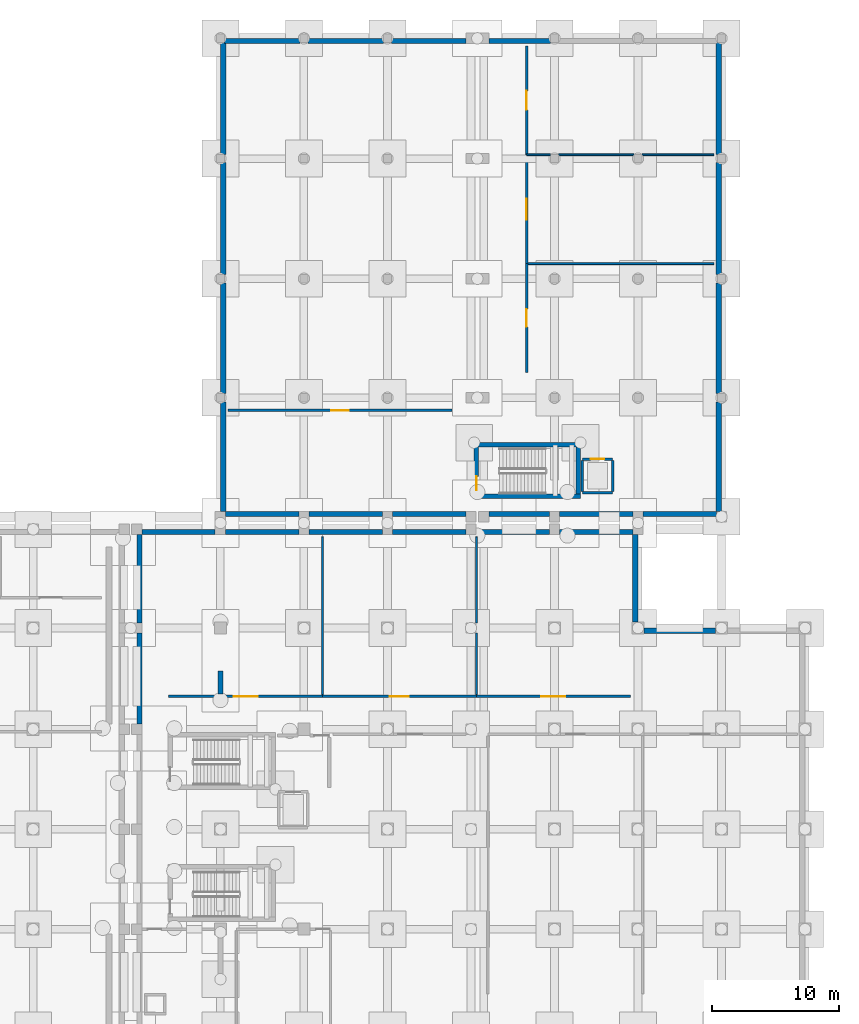
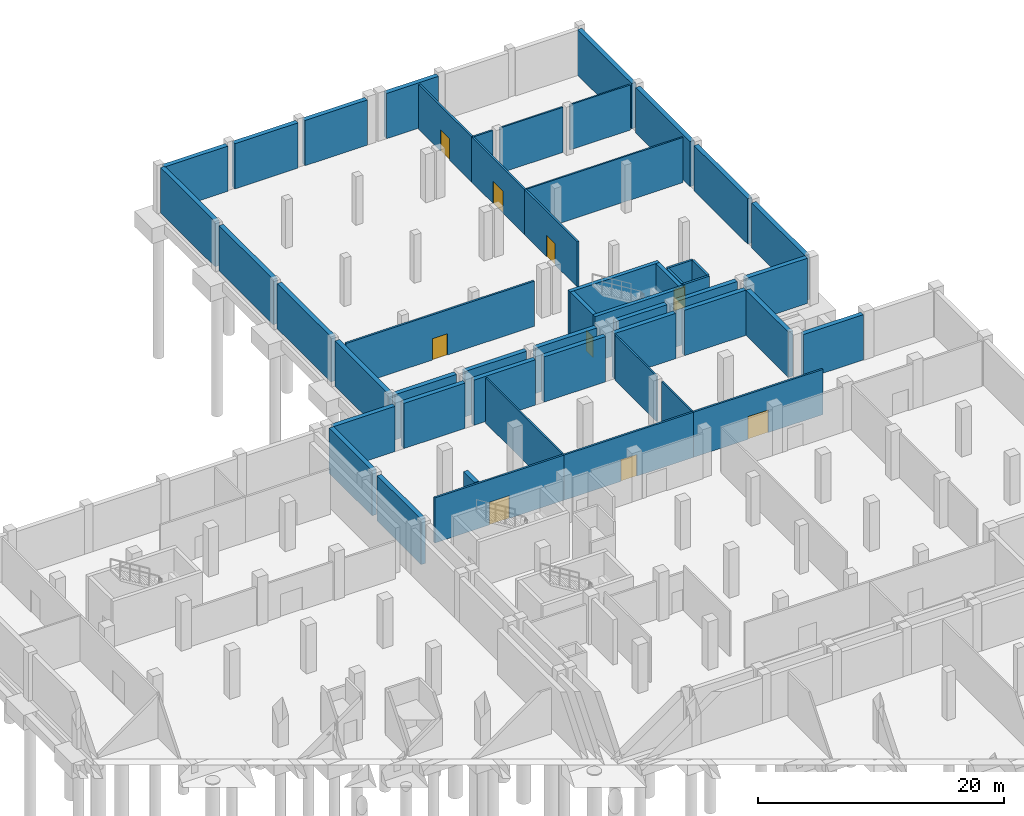
# One storey, part 20 of 29: 51 walls, 9 doors, 9 openings.
"""IFC4 building model written with IfcOpenShell, lengths in metres."""

from ifc_helpers import new_model, si_unit, direction, frame, frame_2d, origin, place, context, subcontext, project, spatial, rectangle, extrude, material, layer, layer_set, type_object, element, fill, save


model = new_model("IFC4")

# Units and contexts
model_context = context("Model", 3, precision=1e-05, world=origin(), true_north=direction((0.0, 1.0)))
body_context = subcontext(model_context, "Body", "Model", "MODEL_VIEW")
ifc_project = project(units=[si_unit("LENGTHUNIT", "METRE"), si_unit("AREAUNIT", "SQUARE_METRE"), si_unit("VOLUMEUNIT", "CUBIC_METRE"), si_unit("PLANEANGLEUNIT", "RADIAN"), si_unit("MASSUNIT", "GRAM", prefix="KILO")], contexts=[model_context])

# Site, building, storey
site_placement = place(None, origin())
site = spatial("IfcSite", under=ifc_project, at=site_placement, CompositionType="ELEMENT")
building_placement = place(site_placement, origin())
building = spatial("IfcBuilding", under=site, at=building_placement, Name="Kelarvand Opera House", CompositionType="ELEMENT")
storey_placement = place(building_placement, frame((0.0, 0.0, -9.60009765625)))
storey = spatial("IfcBuildingStorey", under=building, at=storey_placement, Name="B2", CompositionType="ELEMENT", Elevation=-9.60009765625)

# Walls
ifc_material_1 = material(Name="Acoustic double-stud gypsum partition")
ifc_layer_1 = layer(ifc_material_1, 0.14990234375, Name="Acoustic double-stud gypsum partition")
ifc_layer_set_1 = layer_set([ifc_layer_1], Name="Acoustic double-stud gypsum partition")
wall_type_1 = type_object("IfcWallType", Name="Acoustic Room Partition Wall 150", PredefinedType="PARTITIONING", material=ifc_layer_set_1)
wall_1_placement = place(storey_placement, frame((103.6669921875, 73.139892578125, 0.0), z_axis=(0.0, 0.0, 1.0), x_axis=(0.0, 1.0, 0.0)))
element("IfcWall", 1, at=wall_1_placement, inside=storey, type_object=wall_type_1, Name="V1 B2 Partition Wall IW-150 (48)", PredefinedType="PARTITIONING", context=body_context, shape_type="SweptSolid", body=[
    extrude(rectangle(XDim=12.460205078125, YDim=0.14990234375, at=frame_2d((6.22998046875, 0.0))), origin(), (0.0, 0.0, 1.0), 4.4921875),
])
wall_2_placement = place(storey_placement, frame((115.8330078125, 73.139892578125, 0.0), z_axis=(0.0, 0.0, 1.0), x_axis=(0.0, 1.0, 0.0)))
element("IfcWall", 2, at=wall_2_placement, inside=storey, type_object=wall_type_1, Name="V1 B2 Partition Wall IW-150 (50)", PredefinedType="PARTITIONING", context=body_context, shape_type="SweptSolid", body=[
    extrude(rectangle(XDim=4.85009765625, YDim=0.14990234375, at=frame_2d((2.425048828125, 0.0))), origin(), (0.0, 0.0, 1.0), 4.4921875),
])
wall_3_placement = place(storey_placement, frame((115.8330078125, 78.81005859375, 0.0), z_axis=(0.0, 0.0, 1.0), x_axis=(0.0, 1.0, 0.0)))
element("IfcWall", 3, at=wall_3_placement, inside=storey, type_object=wall_type_1, Name="V1 B2 Partition Wall IW-150 (51)", PredefinedType="PARTITIONING", context=body_context, shape_type="SweptSolid", body=[
    extrude(rectangle(XDim=6.7900390625, YDim=0.14990234375, at=frame_2d((3.39501953125, 0.0))), origin(), (0.0, 0.0, 1.0), 4.4921875),
])
wall_4_placement = place(storey_placement, frame((119.800048828125, 107.199951171875, 0.0), z_axis=(0.0, 0.0, 1.0), x_axis=(1.0, 0.0, 0.0)))
element("IfcWall", 4, at=wall_4_placement, inside=storey, type_object=wall_type_1, Name="V5 B2 Partition Wall IW-150 (92)", PredefinedType="PARTITIONING", context=body_context, shape_type="SweptSolid", body=[
    extrude(rectangle(XDim=14.800048828125, YDim=0.14990234375, at=frame_2d((7.39990234375, 0.0))), origin(), (0.0, 0.0, 1.0), 4.4921875),
])
wall_5_placement = place(storey_placement, frame((119.800048828125, 115.800048828125, 0.0), z_axis=(0.0, 0.0, 1.0), x_axis=(1.0, 0.0, 0.0)))
element("IfcWall", 5, at=wall_5_placement, inside=storey, type_object=wall_type_1, Name="V5 B2 Partition Wall IW-150 (94)", PredefinedType="PARTITIONING", context=body_context, shape_type="SweptSolid", body=[
    extrude(rectangle(XDim=1.875, YDim=0.14990234375, at=frame_2d((0.9375, 0.0))), origin(), (0.0, 0.0, 1.0), 4.4921875),
])
wall_6_placement = place(storey_placement, frame((122.324951171875, 115.800048828125, 0.0), z_axis=(0.0, 0.0, 1.0), x_axis=(1.0, 0.0, 0.0)))
element("IfcWall", 6, at=wall_6_placement, inside=storey, type_object=wall_type_1, Name="V5 B2 Partition Wall IW-150 (95)", PredefinedType="PARTITIONING", context=body_context, shape_type="SweptSolid", body=[
    extrude(rectangle(XDim=5.949951171875, YDim=0.14990234375, at=frame_2d((2.97509765625, 0.0))), origin(), (0.0, 0.0, 1.0), 4.4921875),
])
wall_7_placement = place(storey_placement, frame((128.925048828125, 115.800048828125, 0.0), z_axis=(0.0, 0.0, 1.0), x_axis=(1.0, 0.0, 0.0)))
element("IfcWall", 7, at=wall_7_placement, inside=storey, type_object=wall_type_1, Name="V5 B2 Partition Wall IW-150 (96)", PredefinedType="PARTITIONING", context=body_context, shape_type="SweptSolid", body=[
    extrude(rectangle(XDim=5.675048828125, YDim=0.14990234375, at=frame_2d((2.83740234375, 0.0))), origin(), (0.0, 0.0, 1.0), 4.4921875),
])
ifc_material_2 = material(Name="Concrete C35/45", Category="concrete")
ifc_layer_2 = layer(ifc_material_2, 0.419921875, Name="Concrete C35/45", Category="concrete")
ifc_layer_set_2 = layer_set([ifc_layer_2], Name="Concrete C35/45")
wall_type_2 = type_object("IfcWallType", Name="Basement Perimeter Retaining Wall 420", PredefinedType="SHEAR", material=ifc_layer_set_2)
wall_8_placement = place(storey_placement, frame((89.2099609375, 70.81005859375, 0.0), z_axis=(0.0, 0.0, 1.0), x_axis=(0.0, 1.0, 0.0)))
element("IfcWall", 8, at=wall_8_placement, inside=storey, type_object=wall_type_2, Name="V1 B2 Retaining Wall 11", PredefinedType="SHEAR", context=body_context, shape_type="SweptSolid", body=[
    extrude(rectangle(XDim=7.179931640625, YDim=0.419921875, at=frame_2d((3.58984375, 0.0))), origin(), (0.0, 0.0, 1.0), 4.5),
])
wall_9_placement = place(storey_placement, frame((89.2099609375, 78.81005859375, 0.0), z_axis=(0.0, 0.0, 1.0), x_axis=(0.0, 1.0, 0.0)))
element("IfcWall", 9, at=wall_9_placement, inside=storey, type_object=wall_type_2, Name="V1 B2 Retaining Wall 12", PredefinedType="SHEAR", context=body_context, shape_type="SweptSolid", body=[
    extrude(rectangle(XDim=6.97998046875, YDim=0.419921875, at=frame_2d((3.489990234375, 0.0))), origin(), (0.0, 0.0, 1.0), 4.5),
])
for number, where, z_axis, x_axis, name in (
    (10, (89.409912109375, 85.989990234375, 0.0), (0.0, 0.0, 1.0), (1.0, 0.0, 0.0), "V1 B2 Retaining Wall 13"),
    (11, (96.010009765625, 85.989990234375, 0.0), (0.0, 0.0, 1.0), (1.0, 0.0, 0.0), "V1 B2 Retaining Wall 14"),
):
    element("IfcWall", number, at=place(storey_placement, frame(where, z_axis=z_axis, x_axis=x_axis)), inside=storey, type_object=wall_type_2, Name=name, PredefinedType="SHEAR", context=body_context, shape_type="SweptSolid", body=[
        extrude(rectangle(XDim=5.780029296875, YDim=0.419921875, at=frame_2d((2.89013671875, 0.0))), origin(), (0.0, 0.0, 1.0), 4.5),
    ])
wall_10_placement = place(storey_placement, frame((102.610107421875, 85.989990234375, 0.0), z_axis=(0.0, 0.0, 1.0), x_axis=(1.0, 0.0, 0.0)))
element("IfcWall", 12, at=wall_10_placement, inside=storey, type_object=wall_type_2, Name="V1 B2 Retaining Wall 15", PredefinedType="SHEAR", context=body_context, shape_type="SweptSolid", body=[
    extrude(rectangle(XDim=5.77978515625, YDim=0.419921875, at=frame_2d((2.889892578125, 0.0))), origin(), (0.0, 0.0, 1.0), 4.5),
])
for number, where, z_axis, x_axis, name in (
    (13, (109.2099609375, 85.989990234375, 0.0), (0.0, 0.0, 1.0), (1.0, 0.0, 0.0), "V1 B2 Retaining Wall 16"),
    (14, (115.81005859375, 85.989990234375, 0.0), (0.0, 0.0, 1.0), (1.0, 0.0, 0.0), "V1 B2 Retaining Wall 17"),
    (15, (122.409912109375, 85.989990234375, 0.0), (0.0, 0.0, 1.0), (1.0, 0.0, 0.0), "V1 B2 Retaining Wall 18"),
):
    element("IfcWall", number, at=place(storey_placement, frame(where, z_axis=z_axis, x_axis=x_axis)), inside=storey, type_object=wall_type_2, Name=name, PredefinedType="SHEAR", context=body_context, shape_type="SweptSolid", body=[
        extrude(rectangle(XDim=5.780029296875, YDim=0.419921875, at=frame_2d((2.89013671875, 0.0))), origin(), (0.0, 0.0, 1.0), 4.5),
    ])
wall_11_placement = place(storey_placement, frame((128.389892578125, 85.7900390625, 0.0), z_axis=(0.0, 0.0, 1.0), x_axis=(0.0, -1.0, 0.0)))
element("IfcWall", 16, at=wall_11_placement, inside=storey, type_object=wall_type_2, Name="V1 B2 Retaining Wall 19", PredefinedType="SHEAR", context=body_context, shape_type="SweptSolid", body=[
    extrude(rectangle(XDim=6.9150390625, YDim=0.419921875, at=frame_2d((3.45751953125, 0.0))), origin(), (0.0, 0.0, 1.0), 4.5),
])
wall_12_placement = place(storey_placement, frame((129.074951171875, 78.18994140625, 0.0), z_axis=(0.0, 0.0, 1.0), x_axis=(1.0, 0.0, 0.0)))
element("IfcWall", 17, at=wall_12_placement, inside=storey, type_object=wall_type_2, Name="V1 B2 Retaining Wall 20", PredefinedType="SHEAR", context=body_context, shape_type="SweptSolid", body=[
    extrude(rectangle(XDim=5.650146484375, YDim=0.419921875, at=frame_2d((2.8251953125, 0.0))), origin(), (0.0, 0.0, 1.0), 4.5),
])
for number, where, z_axis, x_axis, name in (
    (18, (134.989990234375, 124.675048828125, 0.0), (0.0, 0.0, 1.0), (0.0, -1.0, 0.0), "V5 B2 Retaining Wall 555"),
    (19, (134.989990234375, 115.175048828125, 0.0), (0.0, 0.0, 1.0), (0.0, -1.0, 0.0), "V5 B2 Retaining Wall 556"),
):
    element("IfcWall", number, at=place(storey_placement, frame(where, z_axis=z_axis, x_axis=x_axis)), inside=storey, type_object=wall_type_2, Name=name, PredefinedType="SHEAR", context=body_context, shape_type="SweptSolid", body=[
        extrude(rectangle(XDim=8.85009765625, YDim=0.419921875, at=frame_2d((4.425048828125, 0.0))), origin(), (0.0, 0.0, 1.0), 4.5),
    ])
wall_13_placement = place(storey_placement, frame((134.989990234375, 105.675048828125, 0.0), z_axis=(0.0, 0.0, 1.0), x_axis=(0.0, -1.0, 0.0)))
element("IfcWall", 20, at=wall_13_placement, inside=storey, type_object=wall_type_2, Name="V5 B2 Retaining Wall 557", PredefinedType="SHEAR", context=body_context, shape_type="SweptSolid", body=[
    extrude(rectangle(XDim=8.75, YDim=0.419921875, at=frame_2d((4.375, 0.0))), origin(), (0.0, 0.0, 1.0), 4.5),
])
wall_14_placement = place(storey_placement, frame((134.989990234375, 96.27490234375, 0.0), z_axis=(0.0, 0.0, 1.0), x_axis=(0.0, -1.0, 0.0)))
element("IfcWall", 21, at=wall_14_placement, inside=storey, type_object=wall_type_2, Name="V5 B2 Retaining Wall 558", PredefinedType="SHEAR", context=body_context, shape_type="SweptSolid", body=[
    extrude(rectangle(XDim=8.664794921875, YDim=0.419921875, at=frame_2d((4.33251953125, 0.0))), origin(), (0.0, 0.0, 1.0), 4.5),
])
wall_15_placement = place(storey_placement, frame((95.925048828125, 124.7900390625, 0.0), z_axis=(0.0, 0.0, 1.0), x_axis=(1.0, 0.0, 0.0)))
element("IfcWall", 22, at=wall_15_placement, inside=storey, type_object=wall_type_2, Name="V5 B2 Retaining Wall 559", PredefinedType="SHEAR", context=body_context, shape_type="SweptSolid", body=[
    extrude(rectangle(XDim=5.949951171875, YDim=0.419921875, at=frame_2d((2.97509765625, 0.0))), origin(), (0.0, 0.0, 1.0), 4.5),
])
wall_16_placement = place(storey_placement, frame((102.52490234375, 124.7900390625, 0.0), z_axis=(0.0, 0.0, 1.0), x_axis=(1.0, 0.0, 0.0)))
element("IfcWall", 23, at=wall_16_placement, inside=storey, type_object=wall_type_2, Name="V5 B2 Retaining Wall 560", PredefinedType="SHEAR", context=body_context, shape_type="SweptSolid", body=[
    extrude(rectangle(XDim=5.9501953125, YDim=0.419921875, at=frame_2d((2.97509765625, 0.0))), origin(), (0.0, 0.0, 1.0), 4.5),
])
wall_17_placement = place(storey_placement, frame((109.125, 124.7900390625, 0.0), z_axis=(0.0, 0.0, 1.0), x_axis=(1.0, 0.0, 0.0)))
element("IfcWall", 24, at=wall_17_placement, inside=storey, type_object=wall_type_2, Name="V5 B2 Retaining Wall 561", PredefinedType="SHEAR", context=body_context, shape_type="SweptSolid", body=[
    extrude(rectangle(XDim=5.864990234375, YDim=0.419921875, at=frame_2d((2.9326171875, 0.0))), origin(), (0.0, 0.0, 1.0), 4.5),
])
wall_18_placement = place(storey_placement, frame((116.81005859375, 124.7900390625, 0.0), z_axis=(0.0, 0.0, 1.0), x_axis=(1.0, 0.0, 0.0)))
element("IfcWall", 25, at=wall_18_placement, inside=storey, type_object=wall_type_2, Name="V5 B2 Retaining Wall 562", PredefinedType="SHEAR", context=body_context, shape_type="SweptSolid", body=[
    extrude(rectangle(XDim=4.864990234375, YDim=0.419921875, at=frame_2d((2.4326171875, 0.0))), origin(), (0.0, 0.0, 1.0), 4.5),
])
wall_19_placement = place(storey_placement, frame((95.81005859375, 87.610107421875, 0.0), z_axis=(0.0, 0.0, 1.0), x_axis=(0.0, 1.0, 0.0)))
element("IfcWall", 26, at=wall_19_placement, inside=storey, type_object=wall_type_2, Name="V5 B2 Retaining Wall 565", PredefinedType="SHEAR", context=body_context, shape_type="SweptSolid", body=[
    extrude(rectangle(XDim=8.664794921875, YDim=0.419921875, at=frame_2d((4.33251953125, 0.0))), origin(), (0.0, 0.0, 1.0), 4.5),
])
wall_20_placement = place(storey_placement, frame((95.81005859375, 96.925048828125, 0.0), z_axis=(0.0, 0.0, 1.0), x_axis=(0.0, 1.0, 0.0)))
element("IfcWall", 27, at=wall_20_placement, inside=storey, type_object=wall_type_2, Name="V5 B2 Retaining Wall 566", PredefinedType="SHEAR", context=body_context, shape_type="SweptSolid", body=[
    extrude(rectangle(XDim=8.75, YDim=0.419921875, at=frame_2d((4.375, 0.0))), origin(), (0.0, 0.0, 1.0), 4.5),
])
for number, where, z_axis, x_axis, name in (
    (28, (95.81005859375, 106.324951171875, 0.0), (0.0, 0.0, 1.0), (0.0, 1.0, 0.0), "V5 B2 Retaining Wall 567"),
    (29, (95.81005859375, 115.824951171875, 0.0), (0.0, 0.0, 1.0), (0.0, 1.0, 0.0), "V5 B2 Retaining Wall 568"),
):
    element("IfcWall", number, at=place(storey_placement, frame(where, z_axis=z_axis, x_axis=x_axis)), inside=storey, type_object=wall_type_2, Name=name, PredefinedType="SHEAR", context=body_context, shape_type="SweptSolid", body=[
        extrude(rectangle(XDim=8.85009765625, YDim=0.419921875, at=frame_2d((4.425048828125, 0.0))), origin(), (0.0, 0.0, 1.0), 4.5),
    ])
for number, where, z_axis, x_axis, name in (
    (30, (134.7900390625, 87.409912109375, 0.0), (0.0, 0.0, 1.0), (-1.0, 0.0, 0.0), "V5 B2 Retaining Wall 569"),
    (31, (128.18994140625, 87.409912109375, 0.0), (0.0, 0.0, 1.0), (-1.0, 0.0, 0.0), "V5 B2 Retaining Wall 570"),
):
    element("IfcWall", number, at=place(storey_placement, frame(where, z_axis=z_axis, x_axis=x_axis)), inside=storey, type_object=wall_type_2, Name=name, PredefinedType="SHEAR", context=body_context, shape_type="SweptSolid", body=[
        extrude(rectangle(XDim=5.780029296875, YDim=0.419921875, at=frame_2d((2.89013671875, 0.0))), origin(), (0.0, 0.0, 1.0), 4.5),
    ])
wall_21_placement = place(storey_placement, frame((121.590087890625, 87.409912109375, 0.0), z_axis=(0.0, 0.0, 1.0), x_axis=(-1.0, 0.0, 0.0)))
element("IfcWall", 32, at=wall_21_placement, inside=storey, type_object=wall_type_2, Name="V5 B2 Retaining Wall 571", PredefinedType="SHEAR", context=body_context, shape_type="SweptSolid", body=[
    extrude(rectangle(XDim=4.780029296875, YDim=0.419921875, at=frame_2d((2.39013671875, 0.0))), origin(), (0.0, 0.0, 1.0), 4.5),
])
wall_22_placement = place(storey_placement, frame((114.989990234375, 87.409912109375, 0.0), z_axis=(0.0, 0.0, 1.0), x_axis=(-1.0, 0.0, 0.0)))
element("IfcWall", 33, at=wall_22_placement, inside=storey, type_object=wall_type_2, Name="V5 B2 Retaining Wall 572", PredefinedType="SHEAR", context=body_context, shape_type="SweptSolid", body=[
    extrude(rectangle(XDim=5.780029296875, YDim=0.419921875, at=frame_2d((2.89013671875, 0.0))), origin(), (0.0, 0.0, 1.0), 4.5),
])
wall_23_placement = place(storey_placement, frame((108.389892578125, 87.409912109375, 0.0), z_axis=(0.0, 0.0, 1.0), x_axis=(-1.0, 0.0, 0.0)))
element("IfcWall", 34, at=wall_23_placement, inside=storey, type_object=wall_type_2, Name="V5 B2 Retaining Wall 573", PredefinedType="SHEAR", context=body_context, shape_type="SweptSolid", body=[
    extrude(rectangle(XDim=5.77978515625, YDim=0.419921875, at=frame_2d((2.889892578125, 0.0))), origin(), (0.0, 0.0, 1.0), 4.5),
])
wall_24_placement = place(storey_placement, frame((101.7900390625, 87.409912109375, 0.0), z_axis=(0.0, 0.0, 1.0), x_axis=(-1.0, 0.0, 0.0)))
element("IfcWall", 35, at=wall_24_placement, inside=storey, type_object=wall_type_2, Name="V5 B2 Retaining Wall 574", PredefinedType="SHEAR", context=body_context, shape_type="SweptSolid", body=[
    extrude(rectangle(XDim=5.780029296875, YDim=0.419921875, at=frame_2d((2.89013671875, 0.0))), origin(), (0.0, 0.0, 1.0), 4.5),
])
ifc_material_3 = material(Name="Concrete C40/50", Category="concrete")
ifc_layer_3 = layer(ifc_material_3, 0.35009765625, Name="Concrete C40/50", Category="concrete")
ifc_layer_set_3 = layer_set([ifc_layer_3], Name="Concrete C40/50")
wall_type_3 = type_object("IfcWallType", Name="Core Stair and Lift Shear Wall 350", PredefinedType="SHEAR", material=ifc_layer_set_3)
for number, where, z_axis, x_axis, name in (
    (36, (115.64990234375, 88.824951171875, 0.0), (0.0, 0.0, 1.0), (1.0, 0.0, 0.0), "C7 Stair Core Shear Wall S B2"),
    (37, (124.050048828125, 92.875, 0.0), (0.0, 0.0, 1.0), (-1.0, 0.0, 0.0), "C7 Stair Core Shear Wall N B2"),
):
    element("IfcWall", number, at=place(storey_placement, frame(where, z_axis=z_axis, x_axis=x_axis)), inside=storey, type_object=wall_type_3, Name=name, PredefinedType="SHEAR", context=body_context, shape_type="SweptSolid", body=[
        extrude(rectangle(XDim=8.400146484375, YDim=0.35009765625, at=frame_2d((4.2001953125, 0.0))), origin(), (0.0, 0.0, 1.0), 4.5),
    ])

# Wall, opening, door
wall_25_placement = place(storey_placement, frame((115.824951171875, 89.0, 0.0), z_axis=(0.0, 0.0, 1.0), x_axis=(0.0, 1.0, 0.0)))
wall_25 = element("IfcWall", 38, at=wall_25_placement, inside=storey, type_object=wall_type_3, Name="C7 Stair Core Shear Wall W B2", PredefinedType="SHEAR", context=body_context, shape_type="SweptSolid", body=[
    extrude(rectangle(XDim=3.699951171875, YDim=0.35009765625, at=frame_2d((1.85009765625, 0.0))), origin(), (0.0, 0.0, 1.0), 4.5),
])
opening_1_placement = place(wall_25_placement, frame((0.280029296875, 0.0, 0.0)))
opening_1 = element("IfcOpeningElement", 39, at=opening_1_placement, cuts=wall_25, Name="Opening FD-01", PredefinedType="OPENING", context=body_context, shape_type="SweptSolid", body=[
    extrude(rectangle(XDim=1.10009765625, YDim=2.080078125, at=frame_2d((0.550048828125, 1.0400390625))), frame((0.0, 0.18505859375, 0.0), z_axis=(0.0, -1.0, 0.0), x_axis=(1.0, 0.0, 0.0)), (0.0, 0.0, 1.0), 0.3701171875),
])
ifc_material_4 = material(Name="Fire-rated brushed stainless steel", Category="steel")
door_type_1 = type_object("IfcDoorType", Name="Steel Fire-Rated Stair and FF Lobby Door 1100x2080", OperationType="NOTDEFINED", PredefinedType="DOOR", material=ifc_material_4)
door_1_placement = place(opening_1_placement, origin())
door_1 = element("IfcDoor", 40, at=door_1_placement, inside=storey, type_object=door_type_1, Name="C7 Stair ST-07 Fire Door B2", OperationType="SINGLE_SWING_LEFT", OverallHeight=2.080078125, OverallWidth=1.10009765625, PredefinedType="DOOR", context=body_context, shape_type="SweptSolid", body=[
    extrude(rectangle(XDim=1.10009765625, YDim=2.080078125, at=frame_2d((0.550048828125, 1.0400390625))), frame((0.0, 0.02490234375, 0.0), z_axis=(0.0, -1.0, 0.0), x_axis=(1.0, 0.0, 0.0)), (0.0, 0.0, 1.0), 0.050048828125),
])
fill(opening_1, door_1)

# Wall
wall_26_placement = place(storey_placement, frame((123.875, 92.699951171875, 0.0), z_axis=(0.0, 0.0, 1.0), x_axis=(0.0, -1.0, 0.0)))
element("IfcWall", 41, at=wall_26_placement, inside=storey, type_object=wall_type_3, Name="C7 Stair Core Shear Wall E B2", PredefinedType="SHEAR", context=body_context, shape_type="SweptSolid", body=[
    extrude(rectangle(XDim=3.699951171875, YDim=0.35009765625, at=frame_2d((1.85009765625, 0.0))), origin(), (0.0, 0.0, 1.0), 4.5),
])

# Wall, opening, door
ifc_layer_4 = layer(ifc_material_2, 0.179931640625, Name="Concrete C35/45", Category="concrete")
ifc_layer_set_4 = layer_set([ifc_layer_4], Name="Concrete C35/45")
wall_type_4 = type_object("IfcWallType", Name="Corridor Fire-Rated Partition Wall 180 EI90", PredefinedType="PARTITIONING", material=ifc_layer_set_4)
wall_27_placement = place(storey_placement, frame((91.5, 73.0, 0.0), z_axis=(0.0, 0.0, 1.0), x_axis=(1.0, 0.0, 0.0)))
wall_27 = element("IfcWall", 42, at=wall_27_placement, inside=storey, type_object=wall_type_4, Name="V1 B2 Partition Wall IW-90 (47)", PredefinedType="PARTITIONING", context=body_context, shape_type="SweptSolid", body=[
    extrude(rectangle(XDim=12.1669921875, YDim=0.179931640625, at=frame_2d((6.08349609375, 0.0))), origin(), (0.0, 0.0, 1.0), 4.4921875),
])
opening_2_placement = place(wall_27_placement, frame((5.134033203125, 0.0, 0.0)))
opening_2 = element("IfcOpeningElement", 43, at=opening_2_placement, cuts=wall_27, Name="Opening D-16", PredefinedType="OPENING", context=body_context, shape_type="SweptSolid", body=[
    extrude(rectangle(XDim=1.89990234375, YDim=2.260009765625, at=frame_2d((0.949951171875, 1.1298828125))), frame((0.0, 0.10009765625, 0.0), z_axis=(0.0, -1.0, 0.0), x_axis=(1.0, 0.0, 0.0)), (0.0, 0.0, 1.0), 0.199951171875),
])
ifc_material_5 = material(Name="Acoustic walnut-veneered hardwood", Category="wood")
door_type_2 = type_object("IfcDoorType", Name="Orchestra Warm-Up Double Door 1900x2260", OperationType="NOTDEFINED", PredefinedType="DOOR", material=ifc_material_5)
door_2_placement = place(opening_2_placement, origin())
door_2 = element("IfcDoor", 44, at=door_2_placement, inside=storey, type_object=door_type_2, Name="V1 B2 Door D-16 (15)", OperationType="DOUBLE_DOOR_SINGLE_SWING", OverallHeight=2.260009765625, OverallWidth=1.89990234375, PredefinedType="DOOR", context=body_context, shape_type="SweptSolid", body=[
    extrude(rectangle(XDim=1.89990234375, YDim=2.260009765625, at=frame_2d((0.949951171875, 1.1298828125))), frame((0.0, 0.02490234375, 0.0), z_axis=(0.0, -1.0, 0.0), x_axis=(1.0, 0.0, 0.0)), (0.0, 0.0, 1.0), 0.050048828125),
])
fill(opening_2, door_2)

wall_28_placement = place(storey_placement, frame((103.6669921875, 73.0, 0.0), z_axis=(0.0, 0.0, 1.0), x_axis=(1.0, 0.0, 0.0)))
wall_28 = element("IfcWall", 45, at=wall_28_placement, inside=storey, type_object=wall_type_4, Name="V1 B2 Partition Wall IW-90 (49)", PredefinedType="PARTITIONING", context=body_context, shape_type="SweptSolid", body=[
    extrude(rectangle(XDim=12.166015625, YDim=0.179931640625, at=frame_2d((6.0830078125, 0.0))), origin(), (0.0, 0.0, 1.0), 4.4921875),
])
opening_3_placement = place(wall_28_placement, frame((5.3330078125, 0.0, 0.0)))
opening_3 = element("IfcOpeningElement", 46, at=opening_3_placement, cuts=wall_28, Name="Opening D-07", PredefinedType="OPENING", context=body_context, shape_type="SweptSolid", body=[
    extrude(rectangle(XDim=1.5, YDim=2.14990234375, at=frame_2d((0.75, 1.074951171875))), frame((0.0, 0.10009765625, 0.0), z_axis=(0.0, -1.0, 0.0), x_axis=(1.0, 0.0, 0.0)), (0.0, 0.0, 1.0), 0.199951171875),
])
door_type_3 = type_object("IfcDoorType", Name="Rehearsal Instrument Double Door 1500x2150", OperationType="NOTDEFINED", PredefinedType="DOOR", material=ifc_material_5)
door_3_placement = place(opening_3_placement, origin())
door_3 = element("IfcDoor", 47, at=door_3_placement, inside=storey, type_object=door_type_3, Name="V1 B2 Door D-07 (16)", OperationType="DOUBLE_DOOR_SINGLE_SWING", OverallHeight=2.14990234375, OverallWidth=1.5, PredefinedType="DOOR", context=body_context, shape_type="SweptSolid", body=[
    extrude(rectangle(XDim=1.5, YDim=2.14990234375, at=frame_2d((0.75, 1.074951171875))), frame((0.0, 0.02490234375, 0.0), z_axis=(0.0, -1.0, 0.0), x_axis=(1.0, 0.0, 0.0)), (0.0, 0.0, 1.0), 0.050048828125),
])
fill(opening_3, door_3)

wall_29_placement = place(storey_placement, frame((115.8330078125, 73.0, 0.0), z_axis=(0.0, 0.0, 1.0), x_axis=(1.0, 0.0, 0.0)))
wall_29 = element("IfcWall", 48, at=wall_29_placement, inside=storey, type_object=wall_type_4, Name="V1 B2 Partition Wall IW-90 (52)", PredefinedType="PARTITIONING", context=body_context, shape_type="SweptSolid", body=[
    extrude(rectangle(XDim=12.1669921875, YDim=0.179931640625, at=frame_2d((6.08349609375, 0.0))), origin(), (0.0, 0.0, 1.0), 4.4921875),
])
opening_4_placement = place(wall_29_placement, frame((5.134033203125, 0.0, 0.0)))
opening_4 = element("IfcOpeningElement", 49, at=opening_4_placement, cuts=wall_29, Name="Opening D-16", PredefinedType="OPENING", context=body_context, shape_type="SweptSolid", body=[
    extrude(rectangle(XDim=1.89990234375, YDim=2.260009765625, at=frame_2d((0.949951171875, 1.1298828125))), frame((0.0, 0.10009765625, 0.0), z_axis=(0.0, -1.0, 0.0), x_axis=(1.0, 0.0, 0.0)), (0.0, 0.0, 1.0), 0.199951171875),
])
door_4_placement = place(opening_4_placement, origin())
door_4 = element("IfcDoor", 50, at=door_4_placement, inside=storey, type_object=door_type_2, Name="V1 B2 Door D-16 (17)", OperationType="DOUBLE_DOOR_SINGLE_SWING", OverallHeight=2.260009765625, OverallWidth=1.89990234375, PredefinedType="DOOR", context=body_context, shape_type="SweptSolid", body=[
    extrude(rectangle(XDim=1.89990234375, YDim=2.260009765625, at=frame_2d((0.949951171875, 1.1298828125))), frame((0.0, 0.02490234375, 0.0), z_axis=(0.0, -1.0, 0.0), x_axis=(1.0, 0.0, 0.0)), (0.0, 0.0, 1.0), 0.050048828125),
])
fill(opening_4, door_4)

wall_30_placement = place(storey_placement, frame((119.800048828125, 98.60009765625, 0.0), z_axis=(0.0, 0.0, 1.0), x_axis=(0.0, 1.0, 0.0)))
wall_30 = element("IfcWall", 51, at=wall_30_placement, inside=storey, type_object=wall_type_4, Name="V5 B2 Partition Wall IW-90 (91)", PredefinedType="PARTITIONING", context=body_context, shape_type="SweptSolid", body=[
    extrude(rectangle(XDim=8.599853515625, YDim=0.179931640625, at=frame_2d((4.2998046875, 0.0))), origin(), (0.0, 0.0, 1.0), 4.4921875),
])
opening_5_placement = place(wall_30_placement, frame((3.60009765625, 0.0, 0.0)))
opening_5 = element("IfcOpeningElement", 52, at=opening_5_placement, cuts=wall_30, Name="Opening D-03", PredefinedType="OPENING", context=body_context, shape_type="SweptSolid", body=[
    extrude(rectangle(XDim=1.39990234375, YDim=2.1201171875, at=frame_2d((0.699951171875, 1.06005859375))), frame((0.0, 0.10009765625, 0.0), z_axis=(0.0, -1.0, 0.0), x_axis=(1.0, 0.0, 0.0)), (0.0, 0.0, 1.0), 0.199951171875),
])
door_type_4 = type_object("IfcDoorType", Name="Plant and Archive Double Leaf Door 1400x2120", OperationType="NOTDEFINED", PredefinedType="DOOR", material=ifc_material_5)
door_5_placement = place(opening_5_placement, origin())
door_5 = element("IfcDoor", 53, at=door_5_placement, inside=storey, type_object=door_type_4, Name="V5 B2 Door D-03 (38)", OperationType="DOUBLE_DOOR_SINGLE_SWING", OverallHeight=2.1201171875, OverallWidth=1.39990234375, PredefinedType="DOOR", context=body_context, shape_type="SweptSolid", body=[
    extrude(rectangle(XDim=1.39990234375, YDim=2.1201171875, at=frame_2d((0.699951171875, 1.06005859375))), frame((0.0, 0.02490234375, 0.0), z_axis=(0.0, -1.0, 0.0), x_axis=(1.0, 0.0, 0.0)), (0.0, 0.0, 1.0), 0.050048828125),
])
fill(opening_5, door_5)

wall_31_placement = place(storey_placement, frame((119.800048828125, 107.199951171875, 0.0), z_axis=(0.0, 0.0, 1.0), x_axis=(0.0, 1.0, 0.0)))
wall_31 = element("IfcWall", 54, at=wall_31_placement, inside=storey, type_object=wall_type_4, Name="V5 B2 Partition Wall IW-90 (93)", PredefinedType="PARTITIONING", context=body_context, shape_type="SweptSolid", body=[
    extrude(rectangle(XDim=8.60009765625, YDim=0.179931640625, at=frame_2d((4.300048828125, 0.0))), origin(), (0.0, 0.0, 1.0), 4.4921875),
])
opening_6_placement = place(wall_31_placement, frame((3.47509765625, 0.0, 0.0)))
opening_6 = element("IfcOpeningElement", 55, at=opening_6_placement, cuts=wall_31, Name="Opening D-14", PredefinedType="OPENING", context=body_context, shape_type="SweptSolid", body=[
    extrude(rectangle(XDim=1.64990234375, YDim=2.199951171875, at=frame_2d((0.824951171875, 1.10009765625))), frame((0.0, 0.10009765625, 0.0), z_axis=(0.0, -1.0, 0.0), x_axis=(1.0, 0.0, 0.0)), (0.0, 0.0, 1.0), 0.199951171875),
])
door_type_5 = type_object("IfcDoorType", Name="Foyer Lounge Double Door 1650x2200", OperationType="NOTDEFINED", PredefinedType="DOOR", material=ifc_material_5)
door_6_placement = place(opening_6_placement, origin())
door_6 = element("IfcDoor", 56, at=door_6_placement, inside=storey, type_object=door_type_5, Name="V5 B2 Door D-14 (39)", OperationType="DOUBLE_DOOR_SINGLE_SWING", OverallHeight=2.199951171875, OverallWidth=1.64990234375, PredefinedType="DOOR", context=body_context, shape_type="SweptSolid", body=[
    extrude(rectangle(XDim=1.64990234375, YDim=2.199951171875, at=frame_2d((0.824951171875, 1.10009765625))), frame((0.0, 0.02490234375, 0.0), z_axis=(0.0, -1.0, 0.0), x_axis=(1.0, 0.0, 0.0)), (0.0, 0.0, 1.0), 0.050048828125),
])
fill(opening_6, door_6)

wall_32_placement = place(storey_placement, frame((119.800048828125, 115.800048828125, 0.0), z_axis=(0.0, 0.0, 1.0), x_axis=(0.0, 1.0, 0.0)))
wall_32 = element("IfcWall", 57, at=wall_32_placement, inside=storey, type_object=wall_type_4, Name="V5 B2 Partition Wall IW-90 (97)", PredefinedType="PARTITIONING", context=body_context, shape_type="SweptSolid", body=[
    extrude(rectangle(XDim=8.599853515625, YDim=0.179931640625, at=frame_2d((4.2998046875, 0.0))), origin(), (0.0, 0.0, 1.0), 4.4921875),
])
opening_7_placement = place(wall_32_placement, frame((3.550048828125, 0.0, 0.0)))
opening_7 = element("IfcOpeningElement", 58, at=opening_7_placement, cuts=wall_32, Name="Opening D-07", PredefinedType="OPENING", context=body_context, shape_type="SweptSolid", body=[
    extrude(rectangle(XDim=1.5, YDim=2.14990234375, at=frame_2d((0.75, 1.074951171875))), frame((0.0, 0.10009765625, 0.0), z_axis=(0.0, -1.0, 0.0), x_axis=(1.0, 0.0, 0.0)), (0.0, 0.0, 1.0), 0.199951171875),
])
door_7_placement = place(opening_7_placement, origin())
door_7 = element("IfcDoor", 59, at=door_7_placement, inside=storey, type_object=door_type_3, Name="V5 B2 Door D-07 (40)", OperationType="DOUBLE_DOOR_SINGLE_SWING", OverallHeight=2.14990234375, OverallWidth=1.5, PredefinedType="DOOR", context=body_context, shape_type="SweptSolid", body=[
    extrude(rectangle(XDim=1.5, YDim=2.14990234375, at=frame_2d((0.75, 1.074951171875))), frame((0.0, 0.02490234375, 0.0), z_axis=(0.0, -1.0, 0.0), x_axis=(1.0, 0.0, 0.0)), (0.0, 0.0, 1.0), 0.050048828125),
])
fill(opening_7, door_7)

wall_33_placement = place(storey_placement, frame((96.199951171875, 95.60009765625, 0.0), z_axis=(0.0, 0.0, 1.0), x_axis=(1.0, 0.0, 0.0)))
wall_33 = element("IfcWall", 60, at=wall_33_placement, inside=storey, type_object=wall_type_4, Name="V5 B2 Partition Wall IW-90 (98)", PredefinedType="PARTITIONING", context=body_context, shape_type="SweptSolid", body=[
    extrude(rectangle(XDim=17.699951171875, YDim=0.179931640625, at=frame_2d((8.85009765625, 0.0))), origin(), (0.0, 0.0, 1.0), 4.4921875),
])
opening_8_placement = place(wall_33_placement, frame((8.14990234375, 0.0, 0.0)))
opening_8 = element("IfcOpeningElement", 61, at=opening_8_placement, cuts=wall_33, Name="Opening D-03", PredefinedType="OPENING", context=body_context, shape_type="SweptSolid", body=[
    extrude(rectangle(XDim=1.39990234375, YDim=2.1201171875, at=frame_2d((0.699951171875, 1.06005859375))), frame((0.0, 0.10009765625, 0.0), z_axis=(0.0, -1.0, 0.0), x_axis=(1.0, 0.0, 0.0)), (0.0, 0.0, 1.0), 0.199951171875),
])
door_8_placement = place(opening_8_placement, origin())
door_8 = element("IfcDoor", 62, at=door_8_placement, inside=storey, type_object=door_type_4, Name="V5 B2 Door D-03 (41)", OperationType="DOUBLE_DOOR_SINGLE_SWING", OverallHeight=2.1201171875, OverallWidth=1.39990234375, PredefinedType="DOOR", context=body_context, shape_type="SweptSolid", body=[
    extrude(rectangle(XDim=1.39990234375, YDim=2.1201171875, at=frame_2d((0.699951171875, 1.06005859375))), frame((0.0, 0.02490234375, 0.0), z_axis=(0.0, -1.0, 0.0), x_axis=(1.0, 0.0, 0.0)), (0.0, 0.0, 1.0), 0.050048828125),
])
fill(opening_8, door_8)

# Wall
ifc_layer_5 = layer(ifc_material_2, 0.199951171875, Name="Concrete C35/45", Category="concrete")
ifc_layer_set_5 = layer_set([ifc_layer_5], Name="Concrete C35/45")
wall_type_5 = type_object("IfcWallType", Name="Lift and Riser Shaft Enclosure Wall 200 EI120", PredefinedType="PARTITIONING", material=ifc_layer_set_5)
wall_34_placement = place(storey_placement, frame((124.199951171875, 89.10009765625, 0.0), z_axis=(0.0, 0.0, 1.0), x_axis=(1.0, 0.0, 0.0)))
element("IfcWall", 63, at=wall_34_placement, inside=storey, type_object=wall_type_5, Name="V5 B2 Partition Wall SW-200 (24)", PredefinedType="PARTITIONING", context=body_context, shape_type="SweptSolid", body=[
    extrude(rectangle(XDim=2.400146484375, YDim=0.199951171875, at=frame_2d((1.2001953125, 0.0))), origin(), (0.0, 0.0, 1.0), 4.4921875),
])

# Wall, opening, door
wall_35_placement = place(storey_placement, frame((126.60009765625, 91.75, 0.0), z_axis=(0.0, 0.0, 1.0), x_axis=(-1.0, 0.0, 0.0)))
wall_35 = element("IfcWall", 64, at=wall_35_placement, inside=storey, type_object=wall_type_5, Name="V5 B2 Partition Wall SW-200 (25)", PredefinedType="PARTITIONING", context=body_context, shape_type="SweptSolid", body=[
    extrude(rectangle(XDim=2.400146484375, YDim=0.199951171875, at=frame_2d((1.2001953125, 0.0))), origin(), (0.0, 0.0, 1.0), 4.4921875),
])
opening_9_placement = place(wall_35_placement, frame((0.64990234375, 0.0, 0.0)))
opening_9 = element("IfcOpeningElement", 65, at=opening_9_placement, cuts=wall_35, Name="Opening LD-01", PredefinedType="OPENING", context=body_context, shape_type="SweptSolid", body=[
    extrude(rectangle(XDim=1.10009765625, YDim=2.14990234375, at=frame_2d((0.550048828125, 1.074951171875))), frame((0.0, 0.10986328125, 0.0), z_axis=(0.0, -1.0, 0.0), x_axis=(1.0, 0.0, 0.0)), (0.0, 0.0, 1.0), 0.219970703125),
])
door_type_6 = type_object("IfcDoorType", Name="Passenger Lift Sliding Landing Door 1100x2150", OperationType="SLIDING_TO_LEFT", PredefinedType="DOOR", material=ifc_material_4)
door_9_placement = place(opening_9_placement, origin())
door_9 = element("IfcDoor", 66, at=door_9_placement, inside=storey, type_object=door_type_6, Name="V5 B2 Door LD-01 (8)", OperationType="SLIDING_TO_LEFT", OverallHeight=2.14990234375, OverallWidth=1.10009765625, PredefinedType="DOOR", context=body_context, shape_type="SweptSolid", body=[
    extrude(rectangle(XDim=1.10009765625, YDim=2.14990234375, at=frame_2d((0.550048828125, 1.074951171875))), frame((0.0, 0.02490234375, 0.0), z_axis=(0.0, -1.0, 0.0), x_axis=(1.0, 0.0, 0.0)), (0.0, 0.0, 1.0), 0.050048828125),
])
fill(opening_9, door_9)

# Walls
for number, where, z_axis, x_axis, name in (
    (67, (124.199951171875, 89.199951171875, 0.0), (0.0, 0.0, 1.0), (0.0, 1.0, 0.0), "V5 B2 Partition Wall SW-200 (26)"),
    (68, (126.60009765625, 91.64990234375, 0.0), (0.0, 0.0, 1.0), (0.0, -1.0, 0.0), "V5 B2 Partition Wall SW-200 (27)"),
):
    element("IfcWall", number, at=place(storey_placement, frame(where, z_axis=z_axis, x_axis=x_axis)), inside=storey, type_object=wall_type_5, Name=name, PredefinedType="PARTITIONING", context=body_context, shape_type="SweptSolid", body=[
        extrude(rectangle(XDim=2.449951171875, YDim=0.199951171875, at=frame_2d((1.22509765625, 0.0))), origin(), (0.0, 0.0, 1.0), 4.4921875),
    ])
ifc_layer_6 = layer(ifc_material_3, 0.39990234375, Name="Concrete C40/50", Category="concrete")
ifc_layer_set_6 = layer_set([ifc_layer_6], Name="Concrete C40/50")
wall_type_6 = type_object("IfcWallType", Name="Seismic Compartment Shear Wall 400", PredefinedType="SHEAR", material=ifc_layer_set_6)
wall_36_placement = place(storey_placement, frame((95.60009765625, 73.199951171875, 0.0), z_axis=(0.0, 0.0, 1.0), x_axis=(0.0, 1.0, 0.0)))
element("IfcWall", 69, at=wall_36_placement, inside=storey, type_object=wall_type_6, Name="V1 Shear Wall CW-120 B2", PredefinedType="SHEAR", context=body_context, shape_type="SweptSolid", body=[
    extrude(rectangle(XDim=1.800048828125, YDim=0.39990234375, at=frame_2d((0.89990234375, 0.0))), origin(), (0.0, 0.0, 1.0), 4.47998046875),
])

save(model, "model.ifc")
